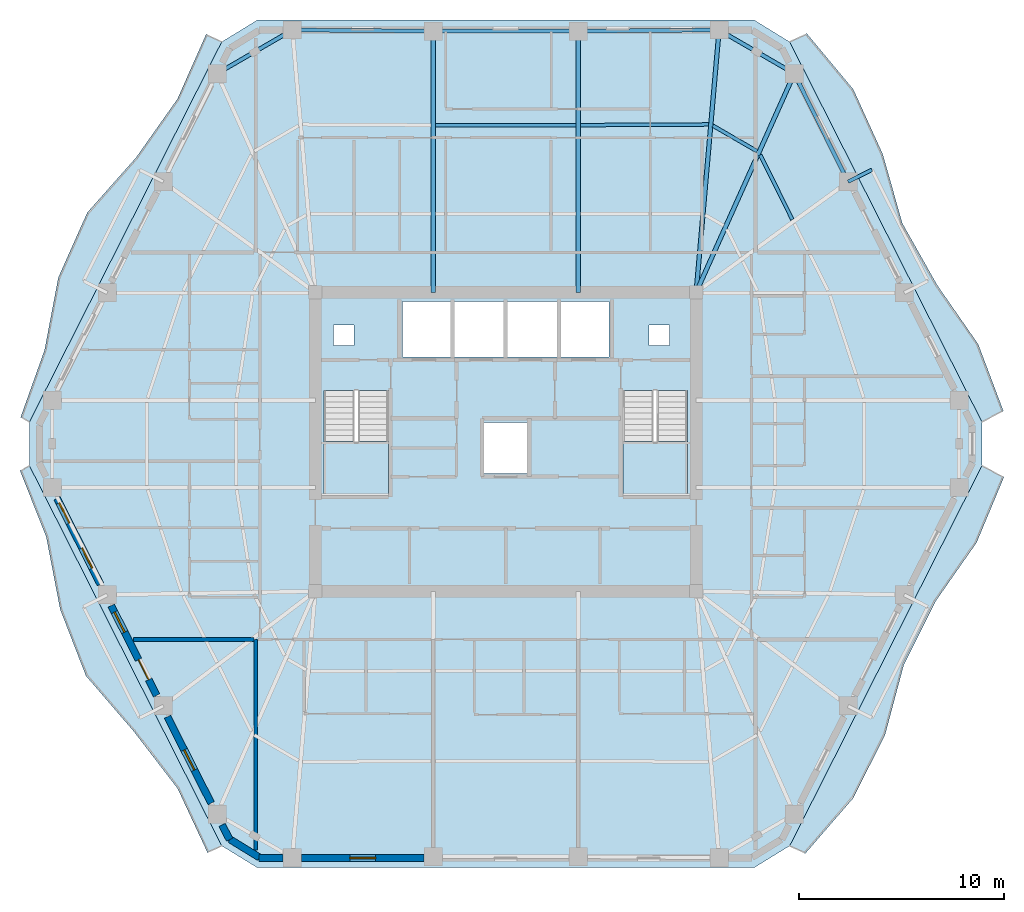
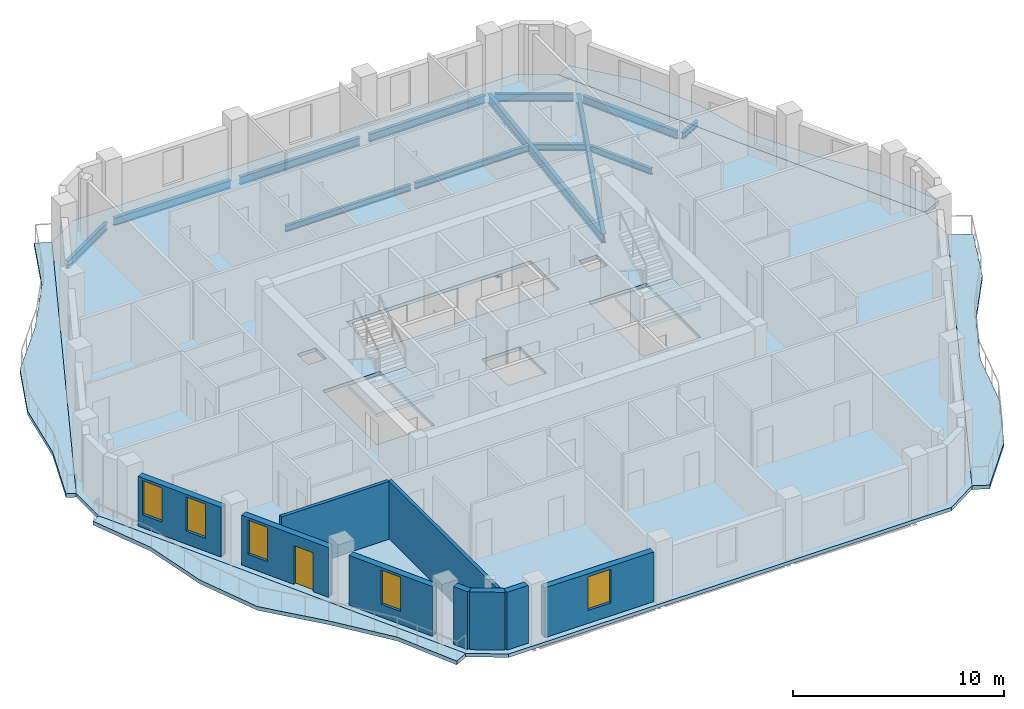
# One storey, part 3 of 12: 15 beams, 9 walls, 7 slabs, 5 windows, 1 door, 6 openings, 2 elements without a shape of their own.
"""IFC4 building model written with IfcOpenShell, lengths in metres."""

from ifc_helpers import new_model, si_unit, direction, frame, frame_2d, origin, origin_2d, place, context, subcontext, project, spatial, polyline, rectangle, i_section, outline, extrude, material, layer, layer_set, material_profile, profile_set, type_object, element, fill, aggregate, save


model = new_model("IFC4")

# Units and contexts
model_context = context("Model", 3, precision=1e-05, world=origin(), true_north=direction((0.0, 1.0)))
body_context = subcontext(model_context, "Body", "Model", "MODEL_VIEW")
ifc_project = project(units=[si_unit("LENGTHUNIT", "METRE"), si_unit("AREAUNIT", "SQUARE_METRE"), si_unit("VOLUMEUNIT", "CUBIC_METRE"), si_unit("PLANEANGLEUNIT", "RADIAN"), si_unit("MASSUNIT", "GRAM", prefix="KILO")], contexts=[model_context])

# Site, building, storey
site_placement = place(None, origin())
site = spatial("IfcSite", under=ifc_project, at=site_placement, CompositionType="ELEMENT")
building_placement = place(site_placement, origin())
building = spatial("IfcBuilding", under=site, at=building_placement, Name="Cinnabar Lancet Tower", CompositionType="ELEMENT")
storey_placement = place(building_placement, frame((0.0, 0.0, 189.64990234375)))
storey = spatial("IfcBuildingStorey", under=building, at=storey_placement, Name="L50", CompositionType="ELEMENT", Elevation=189.64990234375)

# Beams
ifc_material_1 = material(Name="Structural steel S355", Category="steel")
ifc_material_profile_1 = material_profile(ifc_material_1, i_section(OverallWidth=0.17138671875, OverallDepth=0.35498046875, WebThickness=0.00732421875, FlangeThickness=0.011474609375, FilletRadius=0.01025390625, at=origin_2d()), Name="UKB 356x171x51")
ifc_profile_set_1 = profile_set([ifc_material_profile_1], Name="Structural steel S355")
beam_type_1 = type_object("IfcBeamType", Name="STR-BM-JST-356", PredefinedType="JOIST", material=ifc_profile_set_1)
beam_1_placement = place(storey_placement, frame((46.40087890625, 36.75, -0.3779296875), z_axis=(-0.444780091128, 0.895639810714, 0.0), x_axis=(-0.895639810714, -0.444780091128, 0.0)))
element("IfcBeam", 1, at=beam_1_placement, inside=storey, type_object=beam_type_1, Name="L50 Secondary Floor Joist 29", PredefinedType="JOIST", context=body_context, shape_type="SweptSolid", body=[
    extrude(i_section(OverallWidth=0.17138671875, OverallDepth=0.35498046875, WebThickness=0.00732421875, FlangeThickness=0.011474609375, FilletRadius=0.01025390625, at=origin_2d()), origin(), (0.0, 0.0, 1.0), 3.533935546875),
])
beam_2_placement = place(storey_placement, frame((44.677978515625, 40.089111328125, -0.3779296875), z_axis=(-0.865267839663, 0.501309849937, 0.0), x_axis=(-0.501309849937, -0.865267839663, 0.0)))
element("IfcBeam", 2, at=beam_2_placement, inside=storey, type_object=beam_type_1, Name="L50 Secondary Floor Joist 31", PredefinedType="JOIST", context=body_context, shape_type="SweptSolid", body=[
    extrude(i_section(OverallWidth=0.17138671875, OverallDepth=0.35498046875, WebThickness=0.00732421875, FlangeThickness=0.011474609375, FilletRadius=0.01025390625, at=origin_2d()), origin(), (0.0, 0.0, 1.0), 2.497314453125),
])
beam_3_placement = place(storey_placement, frame((42.31201171875, 41.39794921875, -0.3779296875), z_axis=(-0.999986965561, -0.005105752523, 0.0), x_axis=(0.005105752523, -0.999986965561, 0.0)))
element("IfcBeam", 3, at=beam_3_placement, inside=storey, type_object=beam_type_1, Name="L50 Secondary Floor Joist 33", PredefinedType="JOIST", context=body_context, shape_type="SweptSolid", body=[
    extrude(i_section(OverallWidth=0.17138671875, OverallDepth=0.35498046875, WebThickness=0.00732421875, FlangeThickness=0.011474609375, FilletRadius=0.01025390625, at=origin_2d()), origin(), (0.0, 0.0, 1.0), 6.263916015625),
])
beam_4_placement = place(storey_placement, frame((35.837890625, 41.364990234375, -0.3779296875), z_axis=(-1.0, 0.0, 0.0), x_axis=(0.0, -1.0, 0.0)))
element("IfcBeam", 4, at=beam_4_placement, inside=storey, type_object=beam_type_1, Name="L50 Secondary Floor Joist 35", PredefinedType="JOIST", context=body_context, shape_type="SweptSolid", body=[
    extrude(i_section(OverallWidth=0.17138671875, OverallDepth=0.35498046875, WebThickness=0.00732421875, FlangeThickness=0.011474609375, FilletRadius=0.01025390625, at=origin_2d()), origin(), (0.0, 0.0, 1.0), 6.8759765625),
])
ifc_material_2 = material(Name="Structural steel S355", Category="steel")
ifc_material_profile_2 = material_profile(ifc_material_2, i_section(OverallWidth=0.1904296875, OverallDepth=0.45703125, WebThickness=0.009033203125, FlangeThickness=0.014404296875, FilletRadius=0.01025390625, at=origin_2d()), Name="UKB 457x191x74")
ifc_profile_set_2 = profile_set([ifc_material_profile_2], Name="Structural steel S355")
beam_type_2 = type_object("IfcBeamType", Name="STR-BM-SPN-457", PredefinedType="SPANDREL", material=ifc_profile_set_2)
beam_5_placement = place(storey_placement, frame((49.008056640625, 38.822998046875, -0.428955078125), z_axis=(-0.444932986899, 0.895563865489, 0.0), x_axis=(-0.895563865489, -0.444932986899, 0.0)))
element("IfcBeam", 5, at=beam_5_placement, inside=storey, type_object=beam_type_2, Name="L50 Perimeter Spandrel 11", PredefinedType="SPANDREL", context=body_context, shape_type="SweptSolid", body=[
    extrude(i_section(OverallWidth=0.1904296875, OverallDepth=0.45703125, WebThickness=0.009033203125, FlangeThickness=0.014404296875, FilletRadius=0.01025390625, at=origin_2d()), origin(), (0.0, 0.0, 1.0), 5.398681640625),
])
beam_6_placement = place(storey_placement, frame((46.279052734375, 44.007080078125, -0.428955078125), z_axis=(-0.865195717586, 0.501434313016, 0.0), x_axis=(-0.501434313016, -0.865195717586, 0.0)))
element("IfcBeam", 6, at=beam_6_placement, inside=storey, type_object=beam_type_2, Name="L50 Perimeter Spandrel 12", PredefinedType="SPANDREL", context=body_context, shape_type="SweptSolid", body=[
    extrude(i_section(OverallWidth=0.1904296875, OverallDepth=0.45703125, WebThickness=0.009033203125, FlangeThickness=0.014404296875, FilletRadius=0.01025390625, at=origin_2d()), origin(), (0.0, 0.0, 1.0), 3.7470703125),
])
beam_7_placement = place(storey_placement, frame((42.571044921875, 46.009033203125, -0.428955078125), z_axis=(-0.999970401924, -0.007693846685, 0.0), x_axis=(0.007693846685, -0.999970401924, 0.0)))
element("IfcBeam", 7, at=beam_7_placement, inside=storey, type_object=beam_type_2, Name="L50 Perimeter Spandrel 13", PredefinedType="SPANDREL", context=body_context, shape_type="SweptSolid", body=[
    extrude(i_section(OverallWidth=0.1904296875, OverallDepth=0.45703125, WebThickness=0.009033203125, FlangeThickness=0.014404296875, FilletRadius=0.01025390625, at=origin_2d()), origin(), (0.0, 0.0, 1.0), 6.378173828125),
])
beam_8_placement = place(storey_placement, frame((35.693115234375, 45.9580078125, -0.428955078125), z_axis=(-1.0, 0.0, 0.0), x_axis=(0.0, -1.0, 0.0)))
element("IfcBeam", 8, at=beam_8_placement, inside=storey, type_object=beam_type_2, Name="L50 Perimeter Spandrel 14", PredefinedType="SPANDREL", context=body_context, shape_type="SweptSolid", body=[
    extrude(i_section(OverallWidth=0.1904296875, OverallDepth=0.45703125, WebThickness=0.009033203125, FlangeThickness=0.014404296875, FilletRadius=0.01025390625, at=origin_2d()), origin(), (0.0, 0.0, 1.0), 6.586181640625),
])
beam_9_placement = place(storey_placement, frame((28.60693359375, 45.9599609375, -0.428955078125), z_axis=(-0.999970401924, 0.007693846685, 0.0), x_axis=(-0.007693846685, -0.999970401924, 0.0)))
element("IfcBeam", 9, at=beam_9_placement, inside=storey, type_object=beam_type_2, Name="L50 Perimeter Spandrel 15", PredefinedType="SPANDREL", context=body_context, shape_type="SweptSolid", body=[
    extrude(i_section(OverallWidth=0.1904296875, OverallDepth=0.45703125, WebThickness=0.009033203125, FlangeThickness=0.014404296875, FilletRadius=0.01025390625, at=origin_2d()), origin(), (0.0, 0.0, 1.0), 6.378173828125),
])
beam_10_placement = place(storey_placement, frame((21.762939453125, 45.885986328125, -0.428955078125), z_axis=(-0.865195717586, -0.501434313016, 0.0), x_axis=(0.501434313016, -0.865195717586, 0.0)))
element("IfcBeam", 10, at=beam_10_placement, inside=storey, type_object=beam_type_2, Name="L50 Perimeter Spandrel 16", PredefinedType="SPANDREL", context=body_context, shape_type="SweptSolid", body=[
    extrude(i_section(OverallWidth=0.1904296875, OverallDepth=0.45703125, WebThickness=0.009033203125, FlangeThickness=0.014404296875, FilletRadius=0.01025390625, at=origin_2d()), origin(), (0.0, 0.0, 1.0), 3.7470703125),
])
ifc_material_3 = material(Name="Structural steel S355", Category="steel")
ifc_material_profile_3 = material_profile(ifc_material_3, i_section(OverallWidth=0.209228515625, OverallDepth=0.533203125, WebThickness=0.010009765625, FlangeThickness=0.015625, FilletRadius=0.0126953125, at=origin_2d()), Name="UKB 533x210x92")
ifc_profile_set_3 = profile_set([ifc_material_profile_3], Name="Structural steel S355")
beam_type_3 = type_object("IfcBeamType", Name="STR-BM-UKB533-92", PredefinedType="BEAM", material=ifc_profile_set_3)
beam_11_placement = place(storey_placement, frame((46.4951171875, 43.882080078125, -0.466796875), z_axis=(-0.409527011626, -0.912297992297, 0.0), x_axis=(0.912297992297, -0.409527011626, 0.0)))
element("IfcBeam", 11, at=beam_11_placement, inside=storey, type_object=beam_type_3, Name="L50 Primary Floor Girder 12", PredefinedType="BEAM", context=body_context, shape_type="SweptSolid", body=[
    extrude(i_section(OverallWidth=0.209228515625, OverallDepth=0.533203125, WebThickness=0.010009765625, FlangeThickness=0.015625, FilletRadius=0.0126953125, at=origin_2d()), origin(), (0.0, 0.0, 1.0), 11.708984375),
])
beam_12_placement = place(storey_placement, frame((42.821044921875, 46.010986328125, -0.466796875), z_axis=(-0.087176841412, -0.996192851973, 0.0), x_axis=(0.996192851973, -0.087176841412, 0.0)))
element("IfcBeam", 12, at=beam_12_placement, inside=storey, type_object=beam_type_3, Name="L50 Primary Floor Girder 13", PredefinedType="BEAM", context=body_context, shape_type="SweptSolid", body=[
    extrude(i_section(OverallWidth=0.209228515625, OverallDepth=0.533203125, WebThickness=0.010009765625, FlangeThickness=0.015625, FilletRadius=0.0126953125, at=origin_2d()), origin(), (0.0, 0.0, 1.0), 12.860107421875),
])
for number, where, z_axis, x_axis, name in (
    (13, (35.943115234375, 45.9580078125, -0.466796875), (0.0, -1.0, 0.0), (1.0, 0.0, 0.0), "L50 Primary Floor Girder 14"),
    (14, (28.85693359375, 45.9580078125, -0.466796875), (0.0, -1.0, 0.0), (1.0, 0.0, 0.0), "L50 Primary Floor Girder 15"),
):
    element("IfcBeam", number, at=place(storey_placement, frame(where, z_axis=z_axis, x_axis=x_axis)), inside=storey, type_object=beam_type_3, Name=name, PredefinedType="BEAM", context=body_context, shape_type="SweptSolid", body=[
        extrude(i_section(OverallWidth=0.209228515625, OverallDepth=0.533203125, WebThickness=0.010009765625, FlangeThickness=0.015625, FilletRadius=0.0126953125, at=origin_2d()), origin(), (0.0, 0.0, 1.0), 12.758056640625),
    ])
ifc_material_4 = material(Name="Structural steel S355", Category="steel")
ifc_material_profile_4 = material_profile(ifc_material_4, i_section(OverallWidth=0.17138671875, OverallDepth=0.35498046875, WebThickness=0.00732421875, FlangeThickness=0.011474609375, FilletRadius=0.01025390625, at=origin_2d()), Name="UKB 356x171x51")
ifc_profile_set_4 = profile_set([ifc_material_profile_4], Name="Structural steel S355")
beam_type_4 = type_object("IfcBeamType", Name="STR-BM-WAV-OUT", PredefinedType="BEAM", material=ifc_profile_set_4)
beam_13_placement = place(storey_placement, frame((49.118896484375, 38.59912109375, -0.39794921875), z_axis=(0.892314203325, 0.451414845285, 0.0), x_axis=(-0.451414845285, 0.892314203325, 0.0)))
element("IfcBeam", 15, at=beam_13_placement, inside=storey, type_object=beam_type_4, Name="L50 Face 3 Balcony Outlooker B", PredefinedType="BEAM", context=body_context, shape_type="SweptSolid", body=[
    extrude(i_section(OverallWidth=0.17138671875, OverallDepth=0.35498046875, WebThickness=0.00732421875, FlangeThickness=0.011474609375, FilletRadius=0.01025390625, at=origin_2d()), origin(), (0.0, 0.0, 1.0), 1.300048828125),
])

# Stair, slab
ifc_material_5 = material(Name="Concrete C40/50", Category="concrete")
stair_type = type_object("IfcStairType", Name="ST-CORE", PredefinedType="HALF_TURN_STAIR", material=ifc_material_5)
stair_1_placement = place(storey_placement, origin())
stair_1 = element("IfcStair", 16, at=stair_1_placement, inside=storey, type_object=stair_type, Name="L50 ST-1", PredefinedType="HALF_TURN_STAIR")
ifc_material_6 = material(Name="Concrete C40/50", Category="concrete")
ifc_layer_1 = layer(ifc_material_6, 0.199951171875)
ifc_layer_set_1 = layer_set([ifc_layer_1], Name="Concrete C40/50")
slab_type_1 = type_object("IfcSlabType", Name="LANDING-CORE", PredefinedType="LANDING", material=ifc_layer_set_1)
slab_1_placement = place(storey_placement, frame((0.0, 0.0, 1.5751953125)))
slab_1 = element("IfcSlab", 17, at=slab_1_placement, type_object=slab_type_1, Name="ST-1 landing 1", PredefinedType="LANDING", context=body_context, shape_type="SweptSolid", body=[
    extrude(outline(polyline([(23.52490234375, 25.925048828125), (23.52490234375, 23.25), (26.675048828125, 23.25), (26.675048828125, 25.925048828125), (23.52490234375, 25.925048828125)])), origin(), (0.0, 0.0, 1.0), 0.199951171875),
])
aggregate(stair_1, [slab_1])

stair_2_placement = place(storey_placement, origin())
stair_2 = element("IfcStair", 18, at=stair_2_placement, inside=storey, type_object=stair_type, Name="L50 ST-2", PredefinedType="HALF_TURN_STAIR")
slab_2_placement = place(storey_placement, frame((0.0, 0.0, 1.5751953125)))
slab_2 = element("IfcSlab", 19, at=slab_2_placement, type_object=slab_type_1, Name="ST-2 landing 1", PredefinedType="LANDING", context=body_context, shape_type="SweptSolid", body=[
    extrude(outline(polyline([(38.125, 25.925048828125), (38.125, 23.25), (41.27490234375, 23.25), (41.27490234375, 25.925048828125), (38.125, 25.925048828125)])), origin(), (0.0, 0.0, 1.0), 0.199951171875),
])
aggregate(stair_2, [slab_2])

# Slabs
ifc_material_7 = material(Name="Concrete C40/50", Category="concrete")
ifc_layer_2 = layer(ifc_material_7, 0.199951171875)
ifc_layer_set_2 = layer_set([ifc_layer_2], Name="Concrete C40/50")
slab_type_2 = type_object("IfcSlabType", Name="STR-SLB-FLR-200", PredefinedType="FLOOR", material=ifc_layer_set_2)
slab_3_placement = place(storey_placement, frame((0.0, 0.0, -0.199951171875)))
element("IfcSlab", 20, at=slab_3_placement, inside=storey, type_object=slab_type_2, Name="L50 Structural Floor Slab", PredefinedType="FLOOR", context=body_context, shape_type="SweptSolid", body=[
    extrude(outline(polyline([(18.530029296875, 6.1708984375), (20.27197265625, 5.10009765625), (44.528076171875, 5.10009765625), (46.27001953125, 6.1708984375), (55.657958984375, 24.72900390625), (55.657958984375, 26.87109375), (46.27001953125, 45.428955078125), (44.528076171875, 46.5), (20.27197265625, 46.5), (18.530029296875, 45.428955078125), (9.14208984375, 26.87109375), (9.14208984375, 24.72900390625), (18.530029296875, 6.1708984375)]), holes=[polyline([(23.52490234375, 23.25), (26.675048828125, 23.25), (26.675048828125, 28.3994140625), (23.52490234375, 28.3994140625), (23.52490234375, 23.25)]), polyline([(38.125, 23.25), (41.27490234375, 23.25), (41.27490234375, 28.3994140625), (38.125, 28.3994140625), (38.125, 23.25)]), polyline([(27.35009765625, 30.050048828125), (37.449951171875, 30.050048828125), (37.449951171875, 32.75), (27.35009765625, 32.75), (27.35009765625, 30.050048828125)]), polyline([(31.35009765625, 24.35009765625), (33.449951171875, 24.35009765625), (33.449951171875, 26.85009765625), (31.35009765625, 26.85009765625), (31.35009765625, 24.35009765625)]), polyline([(24.0, 30.60009765625), (25.0, 30.60009765625), (25.0, 31.60009765625), (24.0, 31.60009765625), (24.0, 30.60009765625)]), polyline([(39.39990234375, 30.60009765625), (40.39990234375, 30.60009765625), (40.39990234375, 31.60009765625), (39.39990234375, 31.60009765625), (39.39990234375, 30.60009765625)])]), origin(), (0.0, 0.0, 1.0), 0.199951171875),
])
ifc_material_8 = material(Name="Concrete C45/55", Category="concrete")
ifc_layer_3 = layer(ifc_material_8, 0.219970703125)
ifc_layer_set_3 = layer_set([ifc_layer_3], Name="Concrete C45/55")
slab_type_3 = type_object("IfcSlabType", Name="STR-SLB-WAV-220", PredefinedType="FLOOR", material=ifc_layer_set_3)
slab_4_placement = place(storey_placement, frame((0.0, 0.0, -0.219970703125)))
element("IfcSlab", 21, at=slab_4_placement, inside=storey, type_object=slab_type_3, Name="L50 Face 2 Undulating Wave Balcony Slab", PredefinedType="FLOOR", context=body_context, shape_type="SweptSolid", body=[
    extrude(outline(polyline([(46.27001953125, 6.1708984375), (47.02490234375, 5.7890625), (49.364990234375, 8.489990234375), (50.925048828125, 11.5849609375), (51.840087890625, 15.007080078125), (53.388916015625, 18.10791015625), (55.39501953125, 20.97705078125), (56.735107421875, 24.18408203125), (55.657958984375, 24.72900390625), (46.27001953125, 6.1708984375)])), origin(), (0.0, 0.0, 1.0), 0.219970703125),
])
slab_5_placement = place(storey_placement, frame((0.0, 0.0, -0.219970703125)))
element("IfcSlab", 22, at=slab_5_placement, inside=storey, type_object=slab_type_3, Name="L50 Face 3 Undulating Wave Balcony Slab", PredefinedType="FLOOR", context=body_context, shape_type="SweptSolid", body=[
    extrude(outline(polyline([(55.657958984375, 26.87109375), (56.7060546875, 27.40087890625), (55.47607421875, 30.6640625), (53.47998046875, 33.5380859375), (51.77490234375, 36.56103515625), (50.80908203125, 39.9560546875), (49.375, 43.114990234375), (47.095947265625, 45.846923828125), (46.27001953125, 45.428955078125), (55.657958984375, 26.87109375)])), origin(), (0.0, 0.0, 1.0), 0.219970703125),
])
slab_6_placement = place(storey_placement, frame((0.0, 0.0, -0.219970703125)))
element("IfcSlab", 23, at=slab_6_placement, inside=storey, type_object=slab_type_3, Name="L50 Face 5 Undulating Wave Balcony Slab", PredefinedType="FLOOR", context=body_context, shape_type="SweptSolid", body=[
    extrude(outline(polyline([(18.530029296875, 45.428955078125), (17.77490234375, 45.81103515625), (16.366943359375, 42.638916015625), (14.344970703125, 39.777099609375), (11.966064453125, 37.095947265625), (10.552001953125, 33.927001953125), (9.8798828125, 30.382080078125), (8.7080078125, 27.090087890625), (9.14208984375, 26.87109375), (18.530029296875, 45.428955078125)])), origin(), (0.0, 0.0, 1.0), 0.219970703125),
])
slab_7_placement = place(storey_placement, frame((0.0, 0.0, -0.219970703125)))
element("IfcSlab", 24, at=slab_7_placement, inside=storey, type_object=slab_type_3, Name="L50 Face 6 Undulating Wave Balcony Slab", PredefinedType="FLOOR", context=body_context, shape_type="SweptSolid", body=[
    extrude(outline(polyline([(9.14208984375, 24.72900390625), (8.679931640625, 24.4951171875), (9.9609375, 21.259033203125), (10.64208984375, 17.718994140625), (11.90087890625, 14.470947265625), (14.22998046875, 11.764892578125), (16.3779296875, 8.967041015625), (17.844970703125, 5.824951171875), (18.530029296875, 6.1708984375), (9.14208984375, 24.72900390625)])), origin(), (0.0, 0.0, 1.0), 0.219970703125),
])

# Walls
ifc_material_9 = material(Name="Fire-rated twin-frame acoustic drywall", Category="gypsum")
ifc_layer_4 = layer(ifc_material_9, 0.179931640625)
ifc_layer_set_4 = layer_set([ifc_layer_4], Name="Fire-rated twin-frame acoustic drywall")
wall_type_1 = type_object("IfcWallType", Name="ARC-WL-PARTY-180", PredefinedType="PARTITIONING", material=ifc_layer_set_4)
wall_1_placement = place(storey_placement, frame((20.199951171875, 5.968017578125, 0.0), z_axis=(0.0, 0.0, 1.0), x_axis=(0.0, 1.0, 0.0)))
element("IfcWall", 25, at=wall_1_placement, inside=storey, type_object=wall_type_1, Name="PW-L50-SPTY-202", PredefinedType="PARTITIONING", context=body_context, shape_type="SweptSolid", body=[
    extrude(rectangle(XDim=10.281982421875, YDim=0.179931640625, at=frame_2d((5.14111328125, 0.0))), origin(), (0.0, 0.0, 1.0), 3.35009765625),
])
wall_2_placement = place(storey_placement, frame((14.2109375, 16.25, 0.0), z_axis=(0.0, 0.0, 1.0), x_axis=(1.0, 0.0, 0.0)))
element("IfcWall", 26, at=wall_2_placement, inside=storey, type_object=wall_type_1, Name="PW-L50-WSB", PredefinedType="PARTITIONING", context=body_context, shape_type="SweptSolid", body=[
    extrude(rectangle(XDim=5.89404296875, YDim=0.179931640625, at=frame_2d((2.947021484375, 0.0))), origin(), (0.0, 0.0, 1.0), 3.35009765625),
])
ifc_material_10 = material(Name="Cinnabar red clay brick", Category="masonry")
ifc_layer_5 = layer(ifc_material_10, 0.340087890625)
ifc_layer_set_5 = layer_set([ifc_layer_5], Name="Cinnabar red clay brick")
wall_type_2 = type_object("IfcWallType", Name="ENV-WL-BRK-RED-340", PredefinedType="STANDARD", material=ifc_layer_set_5)
wall_3_placement = place(storey_placement, frame((18.93798828125, 6.48388671875, 0.0), z_axis=(0.0, 0.0, 1.0), x_axis=(0.851778214877, -0.523902541185, 0.0)))
element("IfcWall", 27, at=wall_3_placement, inside=storey, type_object=wall_type_2, Name="L50 Chamfered Corner Brick Pier 1.1", PredefinedType="STANDARD", context=body_context, shape_type="SweptSolid", body=[
    extrude(rectangle(XDim=1.677734375, YDim=0.340087890625, at=frame_2d((0.8388671875, 0.0))), origin(), (0.0, 0.0, 1.0), 3.35009765625),
])
wall_4_placement = place(storey_placement, frame((20.362060546875, 5.580078125, 0.0), z_axis=(0.0, 0.0, 1.0), x_axis=(1.0, 0.0, 0.0)))
element("IfcWall", 28, at=wall_4_placement, inside=storey, type_object=wall_type_2, Name="L50 Face 1 Masonry Bay Wall 1", PredefinedType="STANDARD", context=body_context, shape_type="SweptSolid", body=[
    extrude(rectangle(XDim=1.162841796875, YDim=0.340087890625, at=frame_2d((0.58154296875, 0.0))), origin(), (0.0, 0.0, 1.0), 3.35009765625),
])

# Wall, opening, window
wall_5_placement = place(storey_placement, frame((22.43310546875, 5.580078125, 0.0), z_axis=(0.0, 0.0, 1.0), x_axis=(1.0, 0.0, 0.0)))
wall_5 = element("IfcWall", 29, at=wall_5_placement, inside=storey, type_object=wall_type_2, Name="L50 Face 1 Masonry Bay Wall 2", PredefinedType="STANDARD", context=body_context, shape_type="SweptSolid", body=[
    extrude(rectangle(XDim=5.969970703125, YDim=0.340087890625, at=frame_2d((2.98486328125, 0.0))), origin(), (0.0, 0.0, 1.0), 2.883056640625),
])
opening_1_placement = place(wall_5_placement, frame((2.360107421875, 0.0, 0.75)))
opening_1 = element("IfcOpeningElement", 30, at=opening_1_placement, cuts=wall_5, Name="Opening WN-03", PredefinedType="OPENING", context=body_context, shape_type="SweptSolid", body=[
    extrude(rectangle(XDim=1.25, YDim=1.949951171875, at=frame_2d((0.625, 0.97509765625))), frame((0.0, 0.179931640625, 0.0), z_axis=(0.0, -1.0, 0.0), x_axis=(1.0, 0.0, 0.0)), (0.0, 0.0, 1.0), 0.360107421875),
])
ifc_material_11 = material(Name="Thermally broken bronze-anodized aluminium low-E double glazing", Category="aluminium")
window_type_1 = type_object("IfcWindowType", Name="ENV-WN-LANCET-1250", PartitioningType="SINGLE_PANEL", PredefinedType="WINDOW", material=ifc_material_11)
window_1_placement = place(opening_1_placement, origin())
window_1 = element("IfcWindow", 31, at=window_1_placement, inside=storey, type_object=window_type_1, Name="L50 Face 1 Gothic Lancet Window 2", OverallHeight=1.949951171875, OverallWidth=1.25, PartitioningType="SINGLE_PANEL", PredefinedType="WINDOW", context=body_context, shape_type="SweptSolid", body=[
    extrude(rectangle(XDim=1.25, YDim=1.949951171875, at=frame_2d((0.625, 0.97509765625))), frame((0.0, 0.030029296875, 0.0), z_axis=(0.0, -1.0, 0.0), x_axis=(1.0, 0.0, 0.0)), (0.0, 0.0, 1.0), 0.06005859375),
])
fill(opening_1, window_1)

# Wall, openings, windows
wall_6_placement = place(storey_placement, frame((10.485107421875, 23.136962890625, 0.0), z_axis=(0.0, 0.0, 1.0), x_axis=(0.451447222193, -0.892297823361, 0.0)))
wall_6 = element("IfcWall", 32, at=wall_6_placement, inside=storey, type_object=wall_type_2, Name="L50 Face 6 Masonry Bay Wall 2", PredefinedType="STANDARD", context=body_context, shape_type="SweptSolid", body=[
    extrude(rectangle(XDim=4.699951171875, YDim=0.340087890625, at=frame_2d((2.35009765625, 0.0))), origin(), (0.0, 0.0, 1.0), 2.883056640625),
])
opening_2_placement = place(wall_6_placement, frame((0.24609375, 0.0, 0.75)))
opening_2 = element("IfcOpeningElement", 33, at=opening_2_placement, cuts=wall_6, Name="Opening WN-04", PredefinedType="OPENING", context=body_context, shape_type="SweptSolid", body=[
    extrude(rectangle(XDim=1.10009765625, YDim=1.98291015625, at=frame_2d((0.550048828125, 0.991455078125))), frame((0.0, 0.179931640625, 0.0), z_axis=(0.0, -1.0, 0.0), x_axis=(1.0, 0.0, 0.0)), (0.0, 0.0, 1.0), 0.360107421875),
])
opening_3_placement = place(wall_6_placement, frame((2.716064453125, 0.0, 0.75)))
opening_3 = element("IfcOpeningElement", 34, at=opening_3_placement, cuts=wall_6, Name="Opening WN-04", PredefinedType="OPENING", context=body_context, shape_type="SweptSolid", body=[
    extrude(rectangle(XDim=1.10009765625, YDim=1.98291015625, at=frame_2d((0.550048828125, 0.991455078125))), frame((0.0, 0.179931640625, 0.0), z_axis=(0.0, -1.0, 0.0), x_axis=(1.0, 0.0, 0.0)), (0.0, 0.0, 1.0), 0.360107421875),
])
ifc_material_12 = material(Name="Thermally broken bronze-anodized aluminium tall lancet window", Category="aluminium")
window_type_2 = type_object("IfcWindowType", Name="ENV-WN-LANCET-1100", PartitioningType="SINGLE_PANEL", PredefinedType="WINDOW", material=ifc_material_12)
window_2_placement = place(opening_2_placement, origin())
window_2 = element("IfcWindow", 35, at=window_2_placement, inside=storey, type_object=window_type_2, Name="L50 Face 6 Gothic Lancet Window 2", OverallHeight=1.98291015625, OverallWidth=1.10009765625, PartitioningType="SINGLE_PANEL", PredefinedType="WINDOW", context=body_context, shape_type="SweptSolid", body=[
    extrude(rectangle(XDim=1.10009765625, YDim=1.98291015625, at=frame_2d((0.550048828125, 0.991455078125))), frame((0.0, 0.030029296875, 0.0), z_axis=(0.0, -1.0, 0.0), x_axis=(1.0, 0.0, 0.0)), (0.0, 0.0, 1.0), 0.06005859375),
])
fill(opening_2, window_2)
window_3_placement = place(opening_3_placement, origin())
window_3 = element("IfcWindow", 36, at=window_3_placement, inside=storey, type_object=window_type_2, Name="L50 Split-Bay Gothic Lancet Window 165", OverallHeight=1.98291015625, OverallWidth=1.10009765625, PartitioningType="SINGLE_PANEL", PredefinedType="WINDOW", context=body_context, shape_type="SweptSolid", body=[
    extrude(rectangle(XDim=1.10009765625, YDim=1.98291015625, at=frame_2d((0.550048828125, 0.991455078125))), frame((0.0, 0.030029296875, 0.0), z_axis=(0.0, -1.0, 0.0), x_axis=(1.0, 0.0, 0.0)), (0.0, 0.0, 1.0), 0.06005859375),
])
fill(opening_3, window_3)

# Wall, openings, door, window
wall_7_placement = place(storey_placement, frame((13.135009765625, 17.89794921875, 0.0), z_axis=(0.0, 0.0, 1.0), x_axis=(0.451544279509, -0.892248711763, 0.0)))
wall_7 = element("IfcWall", 37, at=wall_7_placement, inside=storey, type_object=wall_type_2, Name="L50 Face 6 Masonry Bay Wall 3", PredefinedType="STANDARD", context=body_context, shape_type="SweptSolid", body=[
    extrude(rectangle(XDim=4.909912109375, YDim=0.340087890625, at=frame_2d((2.455078125, 0.0))), origin(), (0.0, 0.0, 1.0), 2.883056640625),
])
opening_4_placement = place(wall_7_placement, frame((2.9541015625, 0.0, 0.0)))
opening_4 = element("IfcOpeningElement", 38, at=opening_4_placement, cuts=wall_7, Name="Opening TD-01", PredefinedType="OPENING", context=body_context, shape_type="SweptSolid", body=[
    extrude(rectangle(XDim=1.10009765625, YDim=2.25, at=frame_2d((0.550048828125, 1.125))), frame((0.0, 0.179931640625, 0.0), z_axis=(0.0, -1.0, 0.0), x_axis=(1.0, 0.0, 0.0)), (0.0, 0.0, 1.0), 0.360107421875),
])
opening_5_placement = place(wall_7_placement, frame((0.35302734375, 0.0, 0.75)))
opening_5 = element("IfcOpeningElement", 39, at=opening_5_placement, cuts=wall_7, Name="Opening WN-04", PredefinedType="OPENING", context=body_context, shape_type="SweptSolid", body=[
    extrude(rectangle(XDim=1.10009765625, YDim=1.98291015625, at=frame_2d((0.550048828125, 0.991455078125))), frame((0.0, 0.179931640625, 0.0), z_axis=(0.0, -1.0, 0.0), x_axis=(1.0, 0.0, 0.0)), (0.0, 0.0, 1.0), 0.360107421875),
])
ifc_material_13 = material(Name="Thermally broken low-E glazed balcony terrace door", Category="wood")
door_type = type_object("IfcDoorType", Name="ARC-DR-BALC", OperationType="NOTDEFINED", PredefinedType="DOOR", material=ifc_material_13)
door_placement = place(opening_4_placement, origin())
door = element("IfcDoor", 40, at=door_placement, inside=storey, type_object=door_type, Name="L50 Face 6 Glazed Terrace Door", OperationType="SINGLE_SWING_LEFT", OverallHeight=2.25, OverallWidth=1.10009765625, PredefinedType="DOOR", context=body_context, shape_type="SweptSolid", body=[
    extrude(rectangle(XDim=1.10009765625, YDim=2.25, at=frame_2d((0.550048828125, 1.125))), frame((0.0, 0.02490234375, 0.0), z_axis=(0.0, -1.0, 0.0), x_axis=(1.0, 0.0, 0.0)), (0.0, 0.0, 1.0), 0.050048828125),
])
fill(opening_4, door)
window_4_placement = place(opening_5_placement, origin())
window_4 = element("IfcWindow", 41, at=window_4_placement, inside=storey, type_object=window_type_2, Name="L50 Split-Bay Gothic Lancet Window 166", OverallHeight=1.98291015625, OverallWidth=1.10009765625, PartitioningType="SINGLE_PANEL", PredefinedType="WINDOW", context=body_context, shape_type="SweptSolid", body=[
    extrude(rectangle(XDim=1.10009765625, YDim=1.98291015625, at=frame_2d((0.550048828125, 0.991455078125))), frame((0.0, 0.030029296875, 0.0), z_axis=(0.0, -1.0, 0.0), x_axis=(1.0, 0.0, 0.0)), (0.0, 0.0, 1.0), 0.06005859375),
])
fill(opening_5, window_4)

# Wall, opening, window
wall_8_placement = place(storey_placement, frame((15.881103515625, 12.469970703125, 0.0), z_axis=(0.0, 0.0, 1.0), x_axis=(0.451522864045, -0.892259549259, 0.0)))
wall_8 = element("IfcWall", 42, at=wall_8_placement, inside=storey, type_object=wall_type_2, Name="L50 Face 6 Masonry Bay Wall 4", PredefinedType="STANDARD", context=body_context, shape_type="SweptSolid", body=[
    extrude(rectangle(XDim=4.730712890625, YDim=0.340087890625, at=frame_2d((2.365234375, 0.0))), origin(), (0.0, 0.0, 1.0), 2.883056640625),
])
opening_6_placement = place(wall_8_placement, frame((1.81494140625, 0.0, 0.75)))
opening_6 = element("IfcOpeningElement", 43, at=opening_6_placement, cuts=wall_8, Name="Opening WN-04", PredefinedType="OPENING", context=body_context, shape_type="SweptSolid", body=[
    extrude(rectangle(XDim=1.10009765625, YDim=1.98291015625, at=frame_2d((0.550048828125, 0.991455078125))), frame((0.0, 0.179931640625, 0.0), z_axis=(0.0, -1.0, 0.0), x_axis=(1.0, 0.0, 0.0)), (0.0, 0.0, 1.0), 0.360107421875),
])
window_5_placement = place(opening_6_placement, origin())
window_5 = element("IfcWindow", 44, at=window_5_placement, inside=storey, type_object=window_type_2, Name="L50 Face 6 Gothic Lancet Window 4", OverallHeight=1.98291015625, OverallWidth=1.10009765625, PartitioningType="SINGLE_PANEL", PredefinedType="WINDOW", context=body_context, shape_type="SweptSolid", body=[
    extrude(rectangle(XDim=1.10009765625, YDim=1.98291015625, at=frame_2d((0.550048828125, 0.991455078125))), frame((0.0, 0.030029296875, 0.0), z_axis=(0.0, -1.0, 0.0), x_axis=(1.0, 0.0, 0.0)), (0.0, 0.0, 1.0), 0.06005859375),
])
fill(opening_6, window_5)

# Wall
wall_9_placement = place(storey_placement, frame((18.553955078125, 7.18701171875, 0.0), z_axis=(0.0, 0.0, 1.0), x_axis=(0.451691568309, -0.892174157392, 0.0)))
element("IfcWall", 45, at=wall_9_placement, inside=storey, type_object=wall_type_2, Name="L50 Face 6 Masonry Bay Wall 5", PredefinedType="STANDARD", context=body_context, shape_type="SweptSolid", body=[
    extrude(rectangle(XDim=0.805908203125, YDim=0.340087890625, at=frame_2d((0.40283203125, 0.0))), origin(), (0.0, 0.0, 1.0), 3.35009765625),
])

save(model, "model.ifc")
